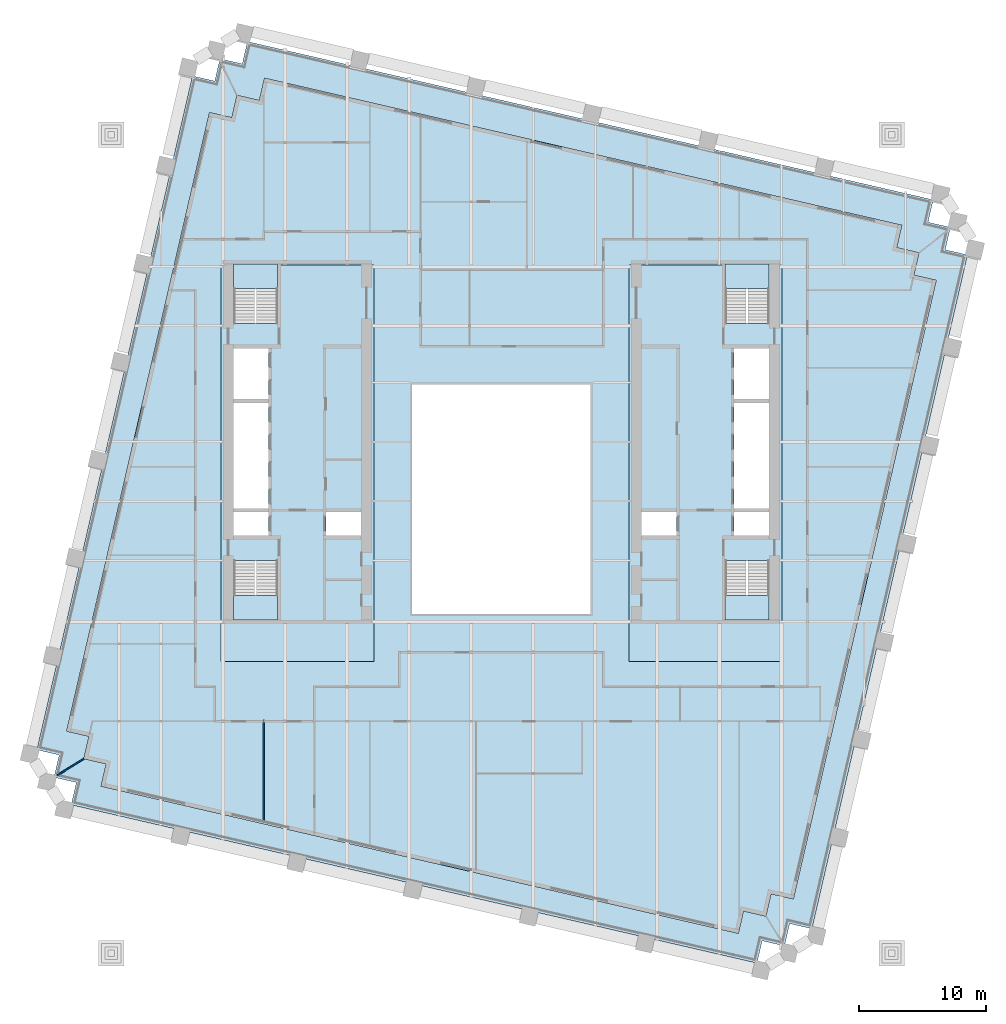
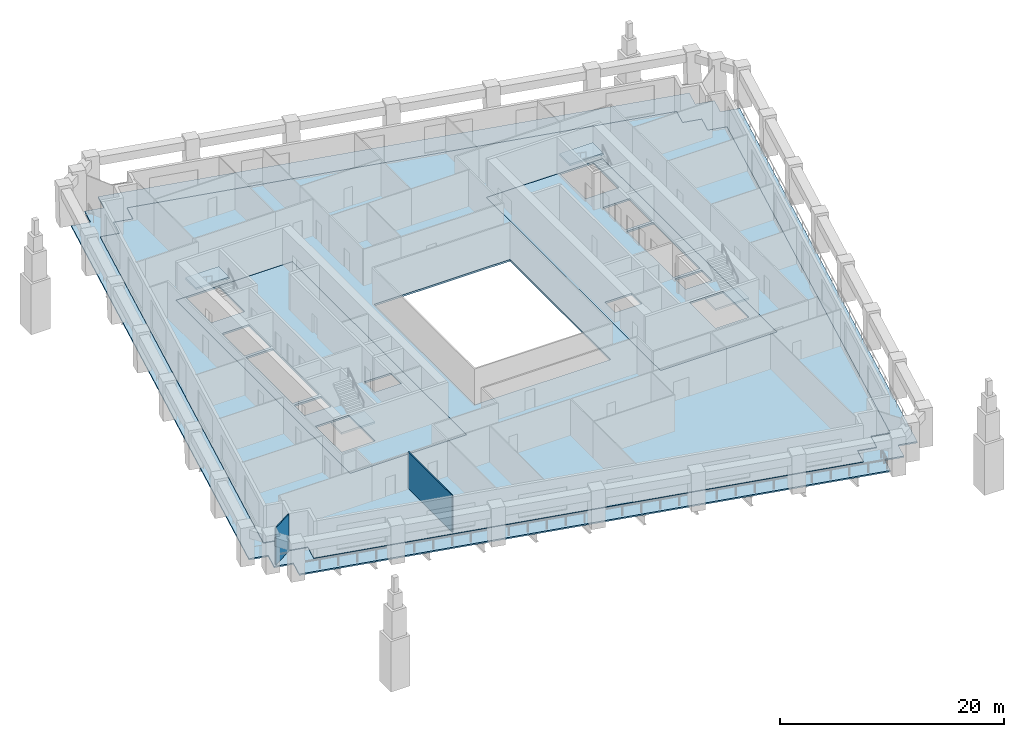
# One storey, part 3 of 10: 8 slabs, 2 walls, 4 elements without a shape of their own.
"""IFC4 building model written with IfcOpenShell, lengths in metres."""

from ifc_helpers import new_model, si_unit, direction, frame, frame_2d, origin, place, context, subcontext, project, spatial, polyline, rectangle, outline, extrude, material, layer, layer_set, type_object, element, aggregate, save


model = new_model("IFC4")

# Units and contexts
model_context = context("Model", 3, precision=1e-05, world=origin(), true_north=direction((0.0, 1.0)))
body_context = subcontext(model_context, "Body", "Model", "MODEL_VIEW")
ifc_project = project(units=[si_unit("LENGTHUNIT", "METRE"), si_unit("AREAUNIT", "SQUARE_METRE"), si_unit("VOLUMEUNIT", "CUBIC_METRE"), si_unit("PLANEANGLEUNIT", "RADIAN"), si_unit("MASSUNIT", "GRAM", prefix="KILO")], contexts=[model_context])

# Site, building, storey
site_placement = place(None, origin())
site = spatial("IfcSite", under=ifc_project, at=site_placement, CompositionType="ELEMENT")
building_placement = place(site_placement, origin())
building = spatial("IfcBuilding", under=site, at=building_placement, Name="Ogive Exchange Tower", CompositionType="ELEMENT")
storey_placement = place(building_placement, frame((0.0, 0.0, 105.60009765625)))
storey = spatial("IfcBuildingStorey", under=building, at=storey_placement, Name="L22", CompositionType="ELEMENT", Elevation=105.60009765625)

# Slabs
ifc_material_1 = material(Name="Concrete C50/60", Category="concrete")
ifc_layer_1 = layer(ifc_material_1, 0.199951171875)
ifc_layer_set_1 = layer_set([ifc_layer_1], Name="Composite floor slab 200")
slab_type_1 = type_object("IfcSlabType", Name="Composite floor slab 200", PredefinedType="FLOOR", material=ifc_layer_set_1)
slab_1_placement = place(storey_placement, frame((0.0, 0.0, -0.2001953125)))
element("IfcSlab", 1, at=slab_1_placement, inside=storey, type_object=slab_type_1, Name="Composite floor slab", PredefinedType="FLOOR", context=body_context, shape_type="SweptSolid", body=[
    extrude(outline(polyline([(-30.998779296875, -13.74560546875), (-32.752685546875, -13.3408203125), (-32.34765625, -11.5869140625), (-34.1015625, -11.181884765625), (-22.89892578125, 37.341552734375), (-21.145263671875, 36.936767578125), (-20.740234375, 38.690673828125), (-18.986328125, 38.28564453125), (-18.58154296875, 40.03955078125), (31.40380859375, 28.49951171875), (30.998779296875, 26.74560546875), (32.752685546875, 26.3408203125), (32.34765625, 24.5869140625), (34.1015625, 24.181884765625), (22.89892578125, -24.341552734375), (21.145263671875, -23.936767578125), (20.740234375, -25.690673828125), (18.986328125, -25.28564453125), (18.58154296875, -27.03955078125), (-31.40380859375, -15.49951171875), (-30.998779296875, -13.74560546875)]), holes=[polyline([(7.0, -2.0), (7.0, 16.0), (-7.0, 16.0), (-7.0, -2.0), (7.0, -2.0)]), polyline([(-22.0, -5.699951171875), (-10.0, -5.699951171875), (-10.0, 25.39990234375), (-22.0, 25.39990234375), (-22.0, -5.699951171875)]), polyline([(10.0, -5.699951171875), (22.0, -5.699951171875), (22.0, 25.39990234375), (10.0, 25.39990234375), (10.0, -5.699951171875)])]), origin(), (0.0, 0.0, 1.0), 0.2001953125),
])
ifc_material_2 = material(Name="Concrete C70/85", Category="concrete")
ifc_layer_2 = layer(ifc_material_2, 0.199951171875)
ifc_layer_set_2 = layer_set([ifc_layer_2], Name="Core floor slab 200")
slab_type_2 = type_object("IfcSlabType", Name="Core floor slab 200", PredefinedType="FLOOR", material=ifc_layer_set_2)
slab_2_placement = place(storey_placement, frame((0.0, 0.0, -0.2001953125)))
element("IfcSlab", 2, at=slab_2_placement, inside=storey, type_object=slab_type_2, Name="Core floor slab", PredefinedType="FLOOR", context=body_context, shape_type="SweptSolid", body=[
    extrude(outline(polyline([(-10.0, 25.39990234375), (-10.0, -5.699951171875), (-22.0, -5.699951171875), (-22.0, 25.39990234375), (-21.0, 25.39990234375), (-21.0, 20.803955078125), (-17.550048828125, 20.803955078125), (-17.550048828125, 25.39990234375), (-10.0, 25.39990234375)]), holes=[polyline([(-17.550048828125, 2.196044921875), (-21.0, 2.196044921875), (-21.0, -2.449951171875), (-17.550048828125, -2.449951171875), (-17.550048828125, 2.196044921875)]), polyline([(-18.25, 5.992919921875), (-21.0, 5.992919921875), (-21.0, 4.14990234375), (-18.25, 4.14990234375), (-18.25, 5.992919921875)]), polyline([(-11.0, 5.992919921875), (-13.75, 5.992919921875), (-13.75, 4.14990234375), (-11.0, 4.14990234375), (-11.0, 5.992919921875)]), polyline([(-21.0, 14.564208984375), (-21.0, 6.29296875), (-18.25, 6.29296875), (-18.25, 14.564208984375), (-21.0, 14.564208984375)]), polyline([(-18.25, 18.85009765625), (-21.0, 18.85009765625), (-21.0, 14.8642578125), (-18.25, 14.8642578125), (-18.25, 18.85009765625)])]), origin(), (0.0, 0.0, 1.0), 0.2001953125),
])
slab_3_placement = place(storey_placement, frame((0.0, 0.0, -0.2001953125)))
element("IfcSlab", 3, at=slab_3_placement, inside=storey, type_object=slab_type_2, Name="Core floor slab", PredefinedType="FLOOR", context=body_context, shape_type="SweptSolid", body=[
    extrude(outline(polyline([(22.0, 25.39990234375), (22.0, -5.699951171875), (10.0, -5.699951171875), (10.0, 25.39990234375), (17.550048828125, 25.39990234375), (17.550048828125, 20.803955078125), (21.0, 20.803955078125), (21.0, 25.39990234375), (22.0, 25.39990234375)]), holes=[polyline([(21.0, 2.196044921875), (17.550048828125, 2.196044921875), (17.550048828125, -2.449951171875), (21.0, -2.449951171875), (21.0, 2.196044921875)]), polyline([(13.75, 5.992919921875), (11.0, 5.992919921875), (11.0, 4.14990234375), (13.75, 4.14990234375), (13.75, 5.992919921875)]), polyline([(21.0, 5.992919921875), (18.25, 5.992919921875), (18.25, 4.14990234375), (21.0, 4.14990234375), (21.0, 5.992919921875)]), polyline([(18.25, 14.564208984375), (18.25, 6.29296875), (21.0, 6.29296875), (21.0, 14.564208984375), (18.25, 14.564208984375)]), polyline([(21.0, 18.85009765625), (18.25, 18.85009765625), (18.25, 14.8642578125), (21.0, 14.8642578125), (21.0, 18.85009765625)])]), origin(), (0.0, 0.0, 1.0), 0.2001953125),
])
ifc_layer_3 = layer(ifc_material_1, 0.14990234375)
ifc_layer_set_3 = layer_set([ifc_layer_3], Name="Loggia deck 150")
slab_type_3 = type_object("IfcSlabType", Name="Loggia deck 150", PredefinedType="FLOOR", material=ifc_layer_set_3)
slab_4_placement = place(storey_placement, frame((0.0, 0.0, -0.2001953125)))
element("IfcSlab", 4, at=slab_4_placement, inside=storey, type_object=slab_type_3, Name="Loggia deck", PredefinedType="FLOOR", context=body_context, shape_type="SweptSolid", body=[
    extrude(outline(polyline([(-33.33740234375, -15.20703125), (-35.09130859375, -14.802001953125), (-34.686279296875, -13.04833984375), (-36.440185546875, -12.643310546875), (-24.23779296875, 40.2119140625), (-22.48388671875, 39.806884765625), (-22.078857421875, 41.560791015625), (-20.3251953125, 41.15576171875), (-19.920166015625, 42.90966796875), (33.864990234375, 30.492431640625), (33.460205078125, 28.738525390625), (35.214111328125, 28.33349609375), (34.80908203125, 26.57958984375), (36.56298828125, 26.1748046875), (24.3603515625, -26.680419921875), (22.6064453125, -26.275390625), (22.20166015625, -28.029296875), (20.44775390625, -27.62451171875), (20.04296875, -29.378173828125), (-33.742431640625, -16.9609375), (-33.33740234375, -15.20703125)]), holes=[polyline([(18.986328125, -25.28564453125), (20.740234375, -25.690673828125), (21.145263671875, -23.936767578125), (22.89892578125, -24.341552734375), (34.1015625, 24.181884765625), (32.34765625, 24.5869140625), (32.752685546875, 26.3408203125), (30.998779296875, 26.74560546875), (31.40380859375, 28.49951171875), (-18.58154296875, 40.03955078125), (-18.986328125, 38.28564453125), (-20.740234375, 38.690673828125), (-21.145263671875, 36.936767578125), (-22.89892578125, 37.341552734375), (-34.1015625, -11.181884765625), (-32.34765625, -11.5869140625), (-32.752685546875, -13.3408203125), (-30.998779296875, -13.74560546875), (-31.40380859375, -15.49951171875), (18.58154296875, -27.03955078125), (18.986328125, -25.28564453125)])]), origin(), (0.0, 0.0, 1.0), 0.150146484375),
])

# Stair, slab
ifc_material_3 = material(Name="Concrete C40/50", Category="concrete")
stair_type = type_object("IfcStairType", Name="Exit stair 1650 wide", PredefinedType="HALF_TURN_STAIR", material=ifc_material_3)
stair_1_placement = place(storey_placement, origin())
stair_1 = element("IfcStair", 5, at=stair_1_placement, inside=storey, type_object=stair_type, Name="L22 exit stair ST1", PredefinedType="HALF_TURN_STAIR")
ifc_layer_4 = layer(ifc_material_3, 0.199951171875)
ifc_layer_set_4 = layer_set([ifc_layer_4], Name="Stair landing 200 slab")
slab_type_4 = type_object("IfcSlabType", Name="Stair landing 200 slab", PredefinedType="LANDING", material=ifc_layer_set_4)
slab_5_placement = place(storey_placement, frame((0.0, 0.0, 1.89990234375)))
slab_5 = element("IfcSlab", 6, at=slab_5_placement, type_object=slab_type_4, Name="ST1 landing 1", PredefinedType="LANDING", context=body_context, shape_type="SweptSolid", body=[
    extrude(outline(polyline([(-21.0, -0.550048828125), (-21.0, -2.449951171875), (-17.550048828125, -2.449951171875), (-17.550048828125, -0.550048828125), (-21.0, -0.550048828125)])), origin(), (0.0, 0.0, 1.0), 0.199951171875),
])
aggregate(stair_1, [slab_5])

stair_2_placement = place(storey_placement, origin())
stair_2 = element("IfcStair", 7, at=stair_2_placement, inside=storey, type_object=stair_type, Name="L22 exit stair ST2", PredefinedType="HALF_TURN_STAIR")
slab_6_placement = place(storey_placement, frame((0.0, 0.0, 1.89990234375)))
slab_6 = element("IfcSlab", 8, at=slab_6_placement, type_object=slab_type_4, Name="ST2 landing 1", PredefinedType="LANDING", context=body_context, shape_type="SweptSolid", body=[
    extrude(outline(polyline([(-17.550048828125, 23.550048828125), (-17.550048828125, 25.449951171875), (-21.0, 25.449951171875), (-21.0, 23.550048828125), (-17.550048828125, 23.550048828125)])), origin(), (0.0, 0.0, 1.0), 0.199951171875),
])
aggregate(stair_2, [slab_6])

stair_3_placement = place(storey_placement, origin())
stair_3 = element("IfcStair", 9, at=stair_3_placement, inside=storey, type_object=stair_type, Name="L22 exit stair ST3", PredefinedType="HALF_TURN_STAIR")
slab_7_placement = place(storey_placement, frame((0.0, 0.0, 1.89990234375)))
slab_7 = element("IfcSlab", 10, at=slab_7_placement, type_object=slab_type_4, Name="ST3 landing 1", PredefinedType="LANDING", context=body_context, shape_type="SweptSolid", body=[
    extrude(outline(polyline([(17.550048828125, -0.550048828125), (17.550048828125, -2.449951171875), (21.0, -2.449951171875), (21.0, -0.550048828125), (17.550048828125, -0.550048828125)])), origin(), (0.0, 0.0, 1.0), 0.199951171875),
])
aggregate(stair_3, [slab_7])

stair_4_placement = place(storey_placement, origin())
stair_4 = element("IfcStair", 11, at=stair_4_placement, inside=storey, type_object=stair_type, Name="L22 exit stair ST4", PredefinedType="HALF_TURN_STAIR")
slab_8_placement = place(storey_placement, frame((0.0, 0.0, 1.89990234375)))
slab_8 = element("IfcSlab", 12, at=slab_8_placement, type_object=slab_type_4, Name="ST4 landing 1", PredefinedType="LANDING", context=body_context, shape_type="SweptSolid", body=[
    extrude(outline(polyline([(21.0, 23.550048828125), (21.0, 25.449951171875), (17.550048828125, 25.449951171875), (17.550048828125, 23.550048828125), (21.0, 23.550048828125)])), origin(), (0.0, 0.0, 1.0), 0.199951171875),
])
aggregate(stair_4, [slab_8])

# Walls
ifc_material_4 = material(Name="Laminated safety glass in steel frame", Category="steel")
ifc_layer_5 = layer(ifc_material_4, 0.10009765625)
ifc_layer_set_5 = layer_set([ifc_layer_5], Name="Loggia end screen 100")
wall_type_1 = type_object("IfcWallType", Name="Loggia end screen 100", PredefinedType="STANDARD", material=ifc_layer_set_5)
wall_1_placement = place(storey_placement, frame((-32.752685546875, -13.3408203125, -0.050048828125), z_axis=(0.0, 0.0, 1.0), x_axis=(-0.848059759764, -0.529900598103, 0.0)))
element("IfcWall", 13, at=wall_1_placement, inside=storey, type_object=wall_type_1, Name="Loggia end screen C4", PredefinedType="STANDARD", context=body_context, shape_type="SweptSolid", body=[
    extrude(rectangle(XDim=2.454833984375, YDim=0.10009765625, at=frame_2d((1.2275390625, 0.0))), origin(), (0.0, 0.0, 1.0), 4.050048828125),
])
ifc_material_5 = material(Name="Partition 100 gypsum")
ifc_layer_6 = layer(ifc_material_5, 0.10009765625)
ifc_layer_set_6 = layer_set([ifc_layer_6], Name="Partition 100 gypsum")
wall_type_2 = type_object("IfcWallType", Name="Partition 100 gypsum", PredefinedType="PARTITIONING", material=ifc_layer_set_6)
wall_2_placement = place(storey_placement, frame((-18.64990234375, -18.218994140625, 0.0), z_axis=(0.0, 0.0, 1.0), x_axis=(0.0, 1.0, 0.0)))
element("IfcWall", 14, at=wall_2_placement, inside=storey, type_object=wall_type_2, Name="L22-PWL-015", PredefinedType="PARTITIONING", context=body_context, shape_type="SweptSolid", body=[
    extrude(rectangle(XDim=7.884033203125, YDim=0.10009765625, at=frame_2d((3.94189453125, 0.0))), origin(), (0.0, 0.0, 1.0), 4.0),
])

save(model, "model.ifc")
